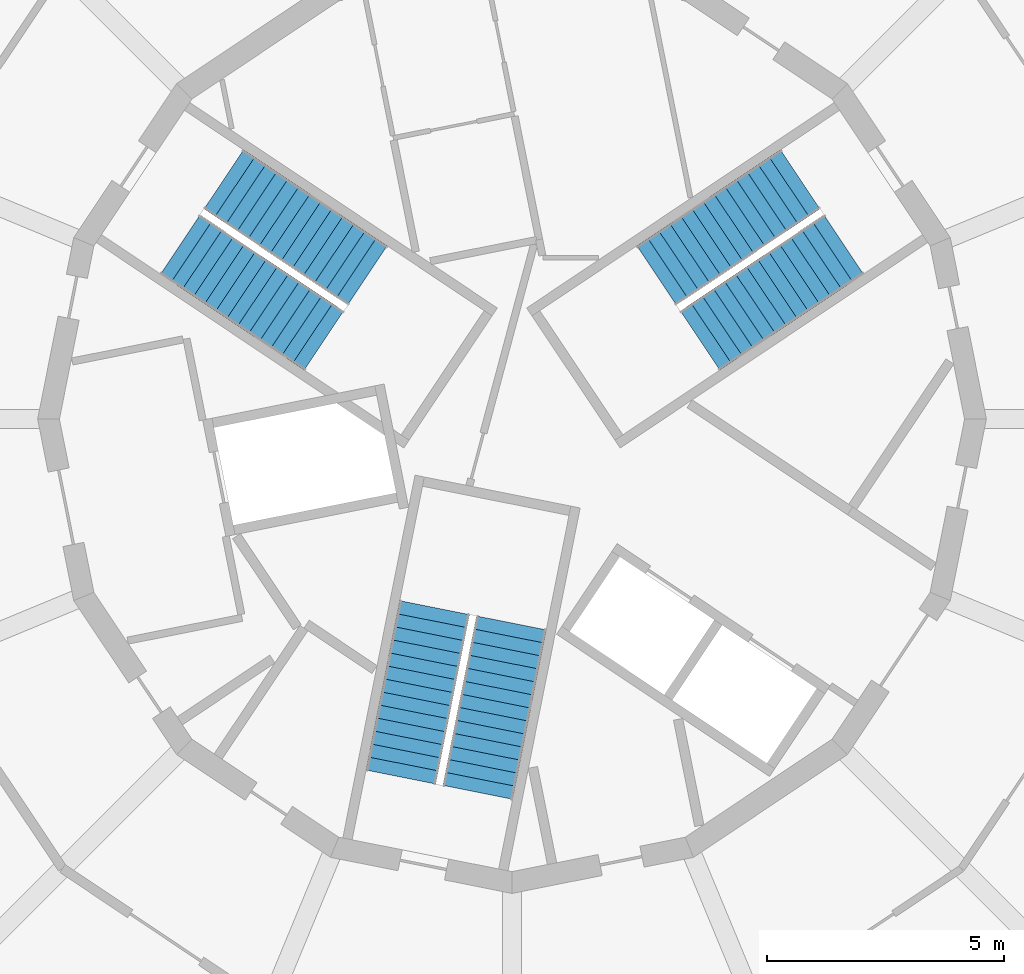
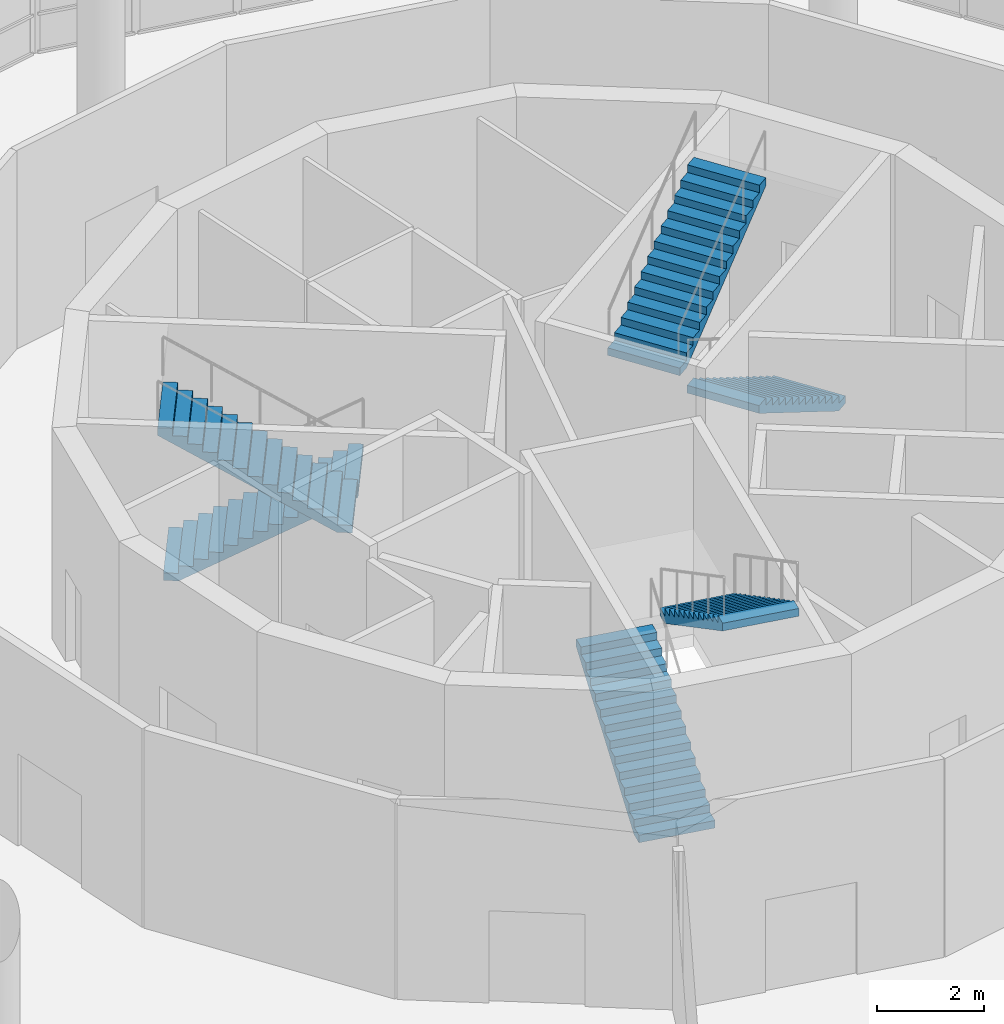
# One storey, part 19 of 21: 6 stair flights, 3 elements without a shape of their own.
"""IFC4 building model written with IfcOpenShell, lengths in metres."""

from ifc_helpers import new_model, si_unit, direction, frame, origin, place, context, subcontext, project, spatial, polyline, outline, extrude, material, type_object, element, aggregate, save


model = new_model("IFC4")

# Units and contexts
model_context = context("Model", 3, precision=1e-05, world=origin(), true_north=direction((0.0, 1.0)))
body_context = subcontext(model_context, "Body", "Model", "MODEL_VIEW")
ifc_project = project(units=[si_unit("LENGTHUNIT", "METRE"), si_unit("AREAUNIT", "SQUARE_METRE"), si_unit("VOLUMEUNIT", "CUBIC_METRE"), si_unit("PLANEANGLEUNIT", "RADIAN"), si_unit("MASSUNIT", "GRAM", prefix="KILO")], contexts=[model_context])

# Site, building, storey
site_placement = place(None, origin())
site = spatial("IfcSite", under=ifc_project, at=site_placement, CompositionType="ELEMENT")
building_placement = place(site_placement, origin())
building = spatial("IfcBuilding", under=site, at=building_placement, Name="Ceibo Conservatory and Research Tower", CompositionType="ELEMENT")
storey_placement = place(building_placement, frame((0.0, 0.0, 15.60009765625)))
storey = spatial("IfcBuildingStorey", under=building, at=storey_placement, Name="L03", CompositionType="ELEMENT", Elevation=15.60009765625)

# Stair, stair flights
ifc_material = material(Name="Concrete C35/45", Category="concrete")
stair_type = type_object("IfcStairType", Name="Escape stair 171 x 280", PredefinedType="HALF_TURN_STAIR", material=ifc_material)
stair_1_placement = place(storey_placement, origin())
stair_1 = element("IfcStair", 1, at=stair_1_placement, inside=storey, type_object=stair_type, Name="Escape stair ST1 03", PredefinedType="HALF_TURN_STAIR")
stair_flight_type = type_object("IfcStairFlightType", Name="Escape stair flight 171", PredefinedType="STRAIGHT", material=ifc_material)
stair_flight_1_placement = place(storey_placement, frame((54.991943359375, 123.6796875, 0.0), z_axis=(0.0, 0.0, 1.0), x_axis=(-0.831469612303, -0.55557023302, 0.0)))
stair_flight_1 = element("IfcStairFlight", 2, at=stair_flight_1_placement, type_object=stair_flight_type, Name="ST1 flight 1", NumberOfRisers=14, NumberOfTreads=13, PredefinedType="STRAIGHT", RiserHeight=0.171428571, TreadLength=0.28, context=body_context, shape_type="SweptSolid", body=[
    extrude(outline(polyline([(0.0, 0.0), (0.0, 0.17138671875), (0.280029296875, 0.17138671875), (0.280029296875, 0.3427734375), (0.56005859375, 0.3427734375), (0.56005859375, 0.514404296875), (0.840087890625, 0.514404296875), (0.840087890625, 0.685791015625), (1.1201171875, 0.685791015625), (1.1201171875, 0.857177734375), (1.39990234375, 0.857177734375), (1.39990234375, 1.028564453125), (1.679931640625, 1.028564453125), (1.679931640625, 1.199951171875), (1.9599609375, 1.199951171875), (1.9599609375, 1.371337890625), (2.239990234375, 1.371337890625), (2.239990234375, 1.54296875), (2.52001953125, 1.54296875), (2.52001953125, 1.71435546875), (2.800048828125, 1.71435546875), (2.800048828125, 1.8857421875), (3.080078125, 1.8857421875), (3.080078125, 2.05712890625), (3.360107421875, 2.05712890625), (3.360107421875, 2.228515625), (3.639892578125, 2.228515625), (3.639892578125, 2.39990234375), (3.639892578125, 2.052734375), (0.287109375, 0.0), (0.0, 0.0)])), frame((0.0, 0.75, 0.0), z_axis=(0.0, -1.0, 0.0), x_axis=(1.0, 0.0, 0.0)), (0.0, 0.0, 1.0), 1.5),
])
stair_flight_2_placement = place(storey_placement, frame((51.048583984375, 123.029296875, 2.39990234375), z_axis=(0.0, 0.0, 1.0), x_axis=(0.831469612303, 0.55557023302, 0.0)))
stair_flight_2 = element("IfcStairFlight", 3, at=stair_flight_2_placement, type_object=stair_flight_type, Name="ST1 flight 2", NumberOfRisers=14, NumberOfTreads=13, PredefinedType="STRAIGHT", RiserHeight=0.171428571, TreadLength=0.28, context=body_context, shape_type="SweptSolid", body=[
    extrude(outline(polyline([(0.0, 0.0), (0.0, 0.17138671875), (0.280029296875, 0.17138671875), (0.280029296875, 0.3427734375), (0.56005859375, 0.3427734375), (0.56005859375, 0.514404296875), (0.840087890625, 0.514404296875), (0.840087890625, 0.685791015625), (1.1201171875, 0.685791015625), (1.1201171875, 0.857177734375), (1.39990234375, 0.857177734375), (1.39990234375, 1.028564453125), (1.679931640625, 1.028564453125), (1.679931640625, 1.199951171875), (1.9599609375, 1.199951171875), (1.9599609375, 1.371337890625), (2.239990234375, 1.371337890625), (2.239990234375, 1.54296875), (2.52001953125, 1.54296875), (2.52001953125, 1.71435546875), (2.800048828125, 1.71435546875), (2.800048828125, 1.8857421875), (3.080078125, 1.8857421875), (3.080078125, 2.05712890625), (3.360107421875, 2.05712890625), (3.360107421875, 2.228515625), (3.639892578125, 2.228515625), (3.639892578125, 2.39990234375), (3.639892578125, 2.052734375), (0.287109375, 0.0), (0.0, 0.0)])), frame((0.0, 0.75, 0.0), z_axis=(0.0, -1.0, 0.0), x_axis=(1.0, 0.0, 0.0)), (0.0, 0.0, 1.0), 1.5),
])
aggregate(stair_1, [stair_flight_1, stair_flight_2])

stair_2_placement = place(storey_placement, origin())
stair_2 = element("IfcStair", 4, at=stair_2_placement, inside=storey, type_object=stair_type, Name="Escape stair ST2 03", PredefinedType="HALF_TURN_STAIR")
stair_flight_3_placement = place(storey_placement, frame((41.9248046875, 125.051513671875, 0.0), z_axis=(0.0, 0.0, 1.0), x_axis=(0.831469612303, -0.55557023302, 0.0)))
stair_flight_3 = element("IfcStairFlight", 5, at=stair_flight_3_placement, type_object=stair_flight_type, Name="ST2 flight 1", NumberOfRisers=14, NumberOfTreads=13, PredefinedType="STRAIGHT", RiserHeight=0.171428571, TreadLength=0.28, context=body_context, shape_type="SweptSolid", body=[
    extrude(outline(polyline([(0.0, 0.0), (0.0, 0.17138671875), (0.280029296875, 0.17138671875), (0.280029296875, 0.3427734375), (0.56005859375, 0.3427734375), (0.56005859375, 0.514404296875), (0.840087890625, 0.514404296875), (0.840087890625, 0.685791015625), (1.1201171875, 0.685791015625), (1.1201171875, 0.857177734375), (1.39990234375, 0.857177734375), (1.39990234375, 1.028564453125), (1.679931640625, 1.028564453125), (1.679931640625, 1.199951171875), (1.9599609375, 1.199951171875), (1.9599609375, 1.371337890625), (2.239990234375, 1.371337890625), (2.239990234375, 1.54296875), (2.52001953125, 1.54296875), (2.52001953125, 1.71435546875), (2.800048828125, 1.71435546875), (2.800048828125, 1.8857421875), (3.080078125, 1.8857421875), (3.080078125, 2.05712890625), (3.360107421875, 2.05712890625), (3.360107421875, 2.228515625), (3.639892578125, 2.228515625), (3.639892578125, 2.39990234375), (3.639892578125, 2.052734375), (0.287109375, 0.0), (0.0, 0.0)])), frame((0.0, 0.75, 0.0), z_axis=(0.0, -1.0, 0.0), x_axis=(1.0, 0.0, 0.0)), (0.0, 0.0, 1.0), 1.5),
])
stair_flight_4_placement = place(storey_placement, frame((44.03466796875, 121.657470703125, 2.39990234375), z_axis=(0.0, 0.0, 1.0), x_axis=(-0.831469612303, 0.55557023302, 0.0)))
stair_flight_4 = element("IfcStairFlight", 6, at=stair_flight_4_placement, type_object=stair_flight_type, Name="ST2 flight 2", NumberOfRisers=14, NumberOfTreads=13, PredefinedType="STRAIGHT", RiserHeight=0.171428571, TreadLength=0.28, context=body_context, shape_type="SweptSolid", body=[
    extrude(outline(polyline([(0.0, 0.0), (0.0, 0.17138671875), (0.280029296875, 0.17138671875), (0.280029296875, 0.3427734375), (0.56005859375, 0.3427734375), (0.56005859375, 0.514404296875), (0.840087890625, 0.514404296875), (0.840087890625, 0.685791015625), (1.1201171875, 0.685791015625), (1.1201171875, 0.857177734375), (1.39990234375, 0.857177734375), (1.39990234375, 1.028564453125), (1.679931640625, 1.028564453125), (1.679931640625, 1.199951171875), (1.9599609375, 1.199951171875), (1.9599609375, 1.371337890625), (2.239990234375, 1.371337890625), (2.239990234375, 1.54296875), (2.52001953125, 1.54296875), (2.52001953125, 1.71435546875), (2.800048828125, 1.71435546875), (2.800048828125, 1.8857421875), (3.080078125, 1.8857421875), (3.080078125, 2.05712890625), (3.360107421875, 2.05712890625), (3.360107421875, 2.228515625), (3.639892578125, 2.228515625), (3.639892578125, 2.39990234375), (3.639892578125, 2.052734375), (0.287109375, 0.0), (0.0, 0.0)])), frame((0.0, 0.75, 0.0), z_axis=(0.0, -1.0, 0.0), x_axis=(1.0, 0.0, 0.0)), (0.0, 0.0, 1.0), 1.5),
])
aggregate(stair_2, [stair_flight_3, stair_flight_4])

stair_3_placement = place(storey_placement, origin())
stair_3 = element("IfcStair", 7, at=stair_3_placement, inside=storey, type_object=stair_type, Name="Escape stair ST3 03", PredefinedType="HALF_TURN_STAIR")
stair_flight_5_placement = place(storey_placement, frame((45.657958984375, 112.4541015625, 0.0), z_axis=(0.0, 0.0, 1.0), x_axis=(0.195090322016, 0.980785280403, 0.0)))
stair_flight_5 = element("IfcStairFlight", 8, at=stair_flight_5_placement, type_object=stair_flight_type, Name="ST3 flight 1", NumberOfRisers=14, NumberOfTreads=13, PredefinedType="STRAIGHT", RiserHeight=0.171428571, TreadLength=0.28, context=body_context, shape_type="SweptSolid", body=[
    extrude(outline(polyline([(0.0, 0.0), (0.0, 0.17138671875), (0.280029296875, 0.17138671875), (0.280029296875, 0.3427734375), (0.56005859375, 0.3427734375), (0.56005859375, 0.514404296875), (0.840087890625, 0.514404296875), (0.840087890625, 0.685791015625), (1.1201171875, 0.685791015625), (1.1201171875, 0.857177734375), (1.39990234375, 0.857177734375), (1.39990234375, 1.028564453125), (1.679931640625, 1.028564453125), (1.679931640625, 1.199951171875), (1.9599609375, 1.199951171875), (1.9599609375, 1.371337890625), (2.239990234375, 1.371337890625), (2.239990234375, 1.54296875), (2.52001953125, 1.54296875), (2.52001953125, 1.71435546875), (2.800048828125, 1.71435546875), (2.800048828125, 1.8857421875), (3.080078125, 1.8857421875), (3.080078125, 2.05712890625), (3.360107421875, 2.05712890625), (3.360107421875, 2.228515625), (3.639892578125, 2.228515625), (3.639892578125, 2.39990234375), (3.639892578125, 2.052734375), (0.287109375, 0.0), (0.0, 0.0)])), frame((0.0, 0.75, 0.0), z_axis=(0.0, -1.0, 0.0), x_axis=(1.0, 0.0, 0.0)), (0.0, 0.0, 1.0), 1.5),
])
stair_flight_6_placement = place(storey_placement, frame((47.986328125, 115.7021484375, 2.39990234375), z_axis=(0.0, 0.0, 1.0), x_axis=(-0.195090322016, -0.980785280403, 0.0)))
stair_flight_6 = element("IfcStairFlight", 9, at=stair_flight_6_placement, type_object=stair_flight_type, Name="ST3 flight 2", NumberOfRisers=14, NumberOfTreads=13, PredefinedType="STRAIGHT", RiserHeight=0.171428571, TreadLength=0.28, context=body_context, shape_type="SweptSolid", body=[
    extrude(outline(polyline([(0.0, 0.0), (0.0, 0.17138671875), (0.280029296875, 0.17138671875), (0.280029296875, 0.3427734375), (0.56005859375, 0.3427734375), (0.56005859375, 0.514404296875), (0.840087890625, 0.514404296875), (0.840087890625, 0.685791015625), (1.1201171875, 0.685791015625), (1.1201171875, 0.857177734375), (1.39990234375, 0.857177734375), (1.39990234375, 1.028564453125), (1.679931640625, 1.028564453125), (1.679931640625, 1.199951171875), (1.9599609375, 1.199951171875), (1.9599609375, 1.371337890625), (2.239990234375, 1.371337890625), (2.239990234375, 1.54296875), (2.52001953125, 1.54296875), (2.52001953125, 1.71435546875), (2.800048828125, 1.71435546875), (2.800048828125, 1.8857421875), (3.080078125, 1.8857421875), (3.080078125, 2.05712890625), (3.360107421875, 2.05712890625), (3.360107421875, 2.228515625), (3.639892578125, 2.228515625), (3.639892578125, 2.39990234375), (3.639892578125, 2.052734375), (0.287109375, 0.0), (0.0, 0.0)])), frame((0.0, 0.75, 0.0), z_axis=(0.0, -1.0, 0.0), x_axis=(1.0, 0.0, 0.0)), (0.0, 0.0, 1.0), 1.5),
])
aggregate(stair_3, [stair_flight_5, stair_flight_6])

save(model, "model.ifc")
